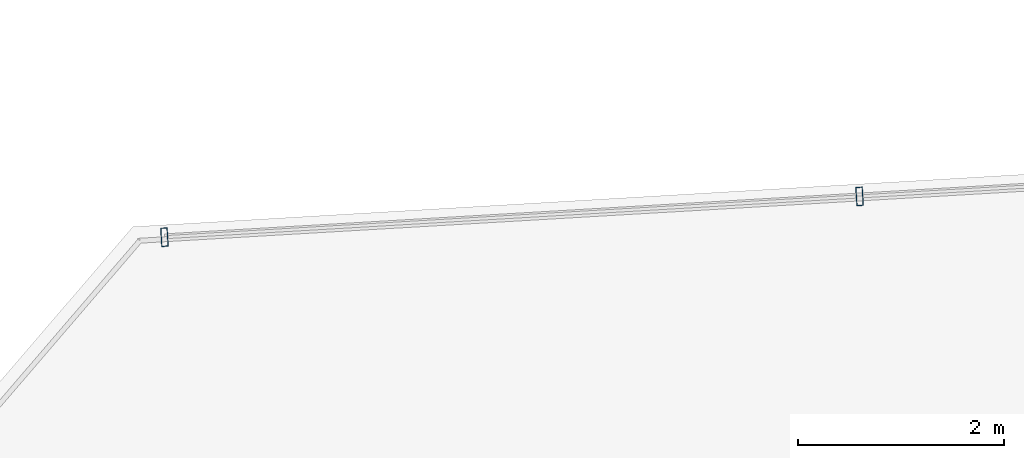
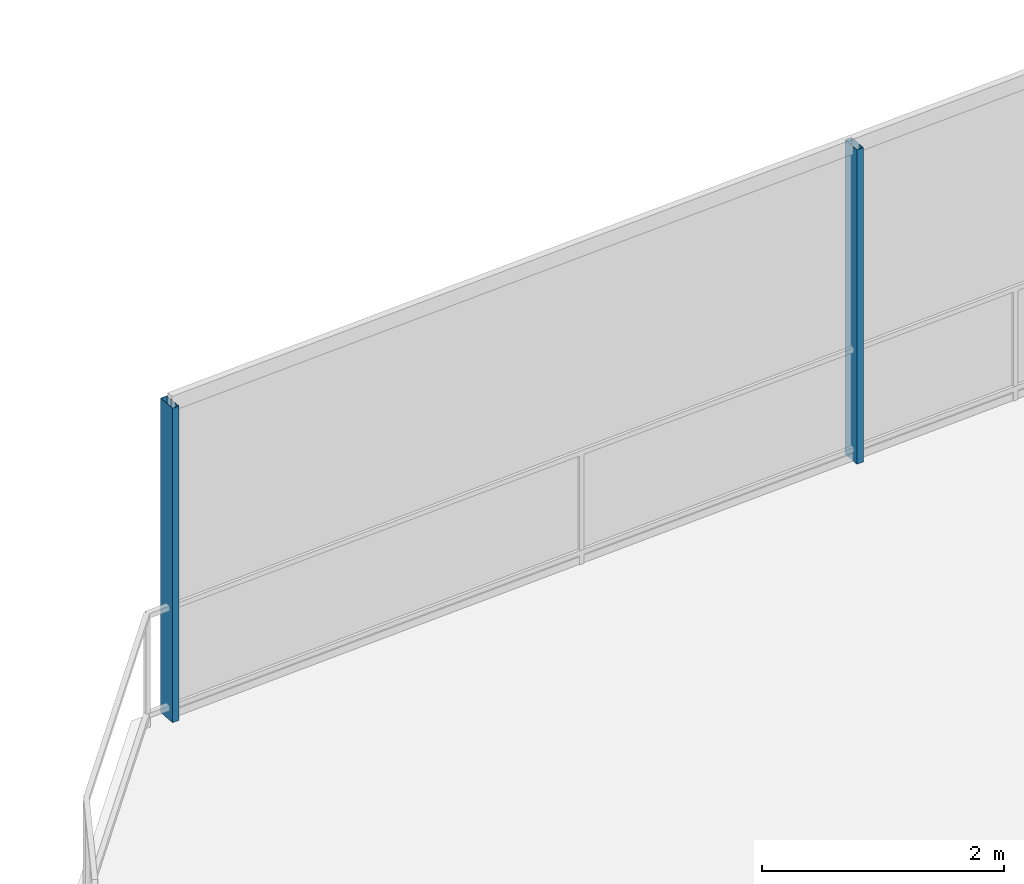
# One storey, part 17 of 30: 2 members, 1 element without a shape of its own.
"""IFC4 building model written with IfcOpenShell, lengths in metres."""

from ifc_helpers import new_model, si_unit, direction, frame, origin, origin_2d, place, context, subcontext, project, spatial, hollow_rectangle, extrude, material, layer, layer_set, material_profile, profile_set, type_object, element, aggregate, save


model = new_model("IFC4")

# Units and contexts
model_context = context("Model", 3, precision=1e-05, world=origin(), true_north=direction((0.0, 1.0)))
body_context = subcontext(model_context, "Body", "Model", "MODEL_VIEW")
ifc_project = project(units=[si_unit("LENGTHUNIT", "METRE"), si_unit("AREAUNIT", "SQUARE_METRE"), si_unit("VOLUMEUNIT", "CUBIC_METRE"), si_unit("PLANEANGLEUNIT", "RADIAN"), si_unit("MASSUNIT", "GRAM", prefix="KILO")], contexts=[model_context])

# Site, building, storey
site_placement = place(None, origin())
site = spatial("IfcSite", under=ifc_project, at=site_placement, CompositionType="ELEMENT")
building_placement = place(site_placement, origin())
building = spatial("IfcBuilding", under=site, at=building_placement, Name="Qarnah Convention Tower", CompositionType="ELEMENT")
storey_placement = place(building_placement, frame((0.0, 0.0, 79.800048828125)))
storey = spatial("IfcBuildingStorey", under=building, at=storey_placement, Name="L20", CompositionType="ELEMENT", Elevation=79.800048828125)

# Curtain wall, members
ifc_material_1 = material(Name="Tempered Low-E dark glass", Category="glass")
ifc_layer = layer(ifc_material_1, 0.169921875)
ifc_layer_set = layer_set([ifc_layer], Name="Tempered Low-E dark glass")
curtain_wall_type = type_object("IfcCurtainWallType", Name="CWS-02", PredefinedType="NOTDEFINED", material=ifc_layer_set)
curtain_wall_placement = place(storey_placement, origin())
curtain_wall = element("IfcCurtainWall", 1, at=curtain_wall_placement, inside=storey, type_object=curtain_wall_type, Name="L20 unitised curtain wall CW-L20-F1", PredefinedType="NOTDEFINED")
ifc_material_2 = material(Name="Black anodised aluminium", Category="aluminium")
ifc_material_profile = material_profile(ifc_material_2, hollow_rectangle(XDim=0.06494140625, YDim=0.179931640625, WallThickness=0.00390625, at=origin_2d()), Name="MUL-65X180")
ifc_profile_set = profile_set([ifc_material_profile], Name="Black anodised aluminium")
member_type = type_object("IfcMemberType", Name="MUL-T2", PredefinedType="MULLION", material=ifc_profile_set)
member_1_placement = place(storey_placement, frame((20.18310546875, 43.23193359375, 0.0), z_axis=(0.0, 0.0, 1.0), x_axis=(0.998280582188, 0.058616373356, 0.0)))
member_1 = element("IfcMember", 2, at=member_1_placement, type_object=member_type, Name="CW-L20-F1 mullion 1", PredefinedType="MULLION", context=body_context, shape_type="SweptSolid", body=[
    extrude(hollow_rectangle(XDim=0.06494140625, YDim=0.179931640625, WallThickness=0.00390625, at=origin_2d()), origin(), (0.0, 0.0, 1.0), 3.169921875),
])
member_2_placement = place(storey_placement, frame((26.94091796875, 43.62890625, 0.0), z_axis=(0.0, 0.0, 1.0), x_axis=(0.998280582188, 0.058616373356, 0.0)))
member_2 = element("IfcMember", 3, at=member_2_placement, type_object=member_type, Name="CW-L20-F1 mullion 2", PredefinedType="MULLION", context=body_context, shape_type="SweptSolid", body=[
    extrude(hollow_rectangle(XDim=0.06494140625, YDim=0.179931640625, WallThickness=0.00390625, at=origin_2d()), origin(), (0.0, 0.0, 1.0), 3.169921875),
])
aggregate(curtain_wall, [member_1, member_2])

save(model, "model.ifc")
